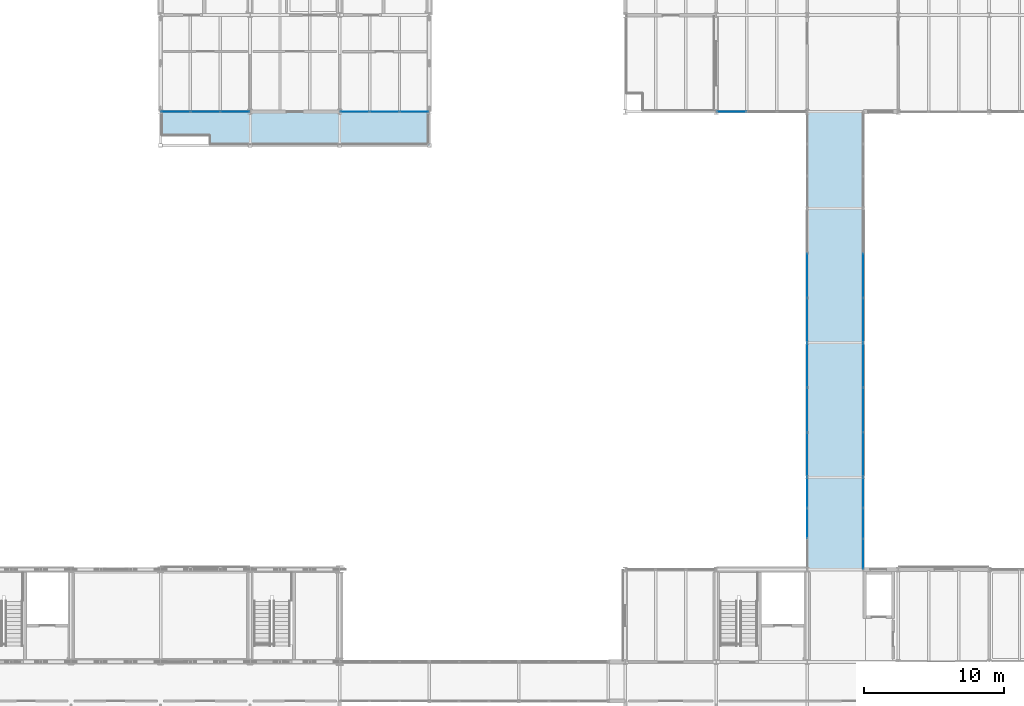
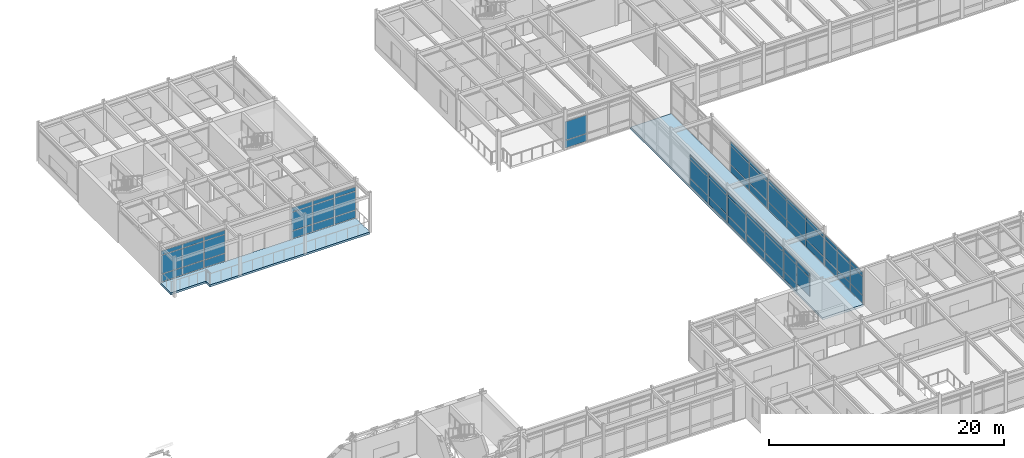
# One storey, part 97 of 144: 64 plates, 2 slabs, 9 elements without a shape of their own.
"""IFC4 building model written with IfcOpenShell, lengths in metres."""

import ifcopenshell
import ifcopenshell.guid

model = None  # the IFC model being written
_history = None  # IfcOwnerHistory: only IFC2X3 demands one
_inside = {}  # id of a spatial element -> (the spatial element, [elements in it])
_under = {}  # id of a project, library or spatial element -> (it, [spatial elements below it])
_declared = {}  # id of a project -> (the project, [libraries it declares])
_typed = {}  # id of a type object -> (the type object, [elements of that type])
_made_of = {}  # id of a material, layer set ... -> (it, [elements and type objects made of it])


def new_model(schema):
    """Start an empty IFC model of exactly this schema.

    Asked for "IFC4X3", IfcOpenShell would pick the latest addendum, in which some entities
    have other attributes; the version numbers below select the first issue.
    IFC2X3 requires an IfcOwnerHistory on every rooted entity: one is made here for all.
    """
    global model, _history
    if schema == "IFC4X3":
        model = ifcopenshell.file(schema_version=(4, 3, 0, 0))
    else:
        model = ifcopenshell.file(schema=schema)
    _inside.clear()
    _under.clear()
    _declared.clear()
    _typed.clear()
    _made_of.clear()
    _history = None
    if model.schema == "IFC2X3":
        org = make("IfcOrganization", Name="unknown")
        user = make(
            "IfcPersonAndOrganization",
            ThePerson=make("IfcPerson", FamilyName="unknown"),
            TheOrganization=org,
        )
        app = make(
            "IfcApplication",
            ApplicationDeveloper=org,
            Version="unknown",
            ApplicationFullName="unknown",
            ApplicationIdentifier="unknown",
        )
        _history = make(
            "IfcOwnerHistory",
            OwningUser=user,
            OwningApplication=app,
            ChangeAction="ADDED",
            CreationDate=0,
        )
    return model


def make(cls, **values):
    """One entity of the class cls with the attributes given. An attribute that is None is left unset."""
    return model.create_entity(
        cls, **{name: value for name, value in values.items() if value is not None}
    )


def rooted(cls, **values):
    """An entity with a GlobalId (a new one), such as an element, a storey or a relation."""
    return make(cls, GlobalId=ifcopenshell.guid.new(), OwnerHistory=_history, **values)


def si_unit(unit_type, name, prefix=None):
    """IfcSIUnit, for example si_unit("LENGTHUNIT", "METRE", prefix="MILLI")."""
    return make("IfcSIUnit", UnitType=unit_type, Prefix=prefix, Name=name)


def assignment(units):
    """IfcUnitAssignment: the units of a project."""
    return None if units is None else make("IfcUnitAssignment", Units=units)


def point(xyz):
    """IfcCartesianPoint."""
    return None if xyz is None else make("IfcCartesianPoint", Coordinates=xyz)


def direction(xyz):
    """IfcDirection."""
    return None if xyz is None else make("IfcDirection", DirectionRatios=xyz)


def frame(location, z_axis=None, x_axis=None):
    """IfcAxis2Placement3D, a coordinate frame: its origin and axes. An axis left out is left unset."""
    return make(
        "IfcAxis2Placement3D",
        Location=point(location),
        Axis=direction(z_axis),
        RefDirection=direction(x_axis),
    )


def frame_2d(location, x_axis=None):
    """IfcAxis2Placement2D, a coordinate frame in the plane: its origin and x axis."""
    return make(
        "IfcAxis2Placement2D", Location=point(location), RefDirection=direction(x_axis)
    )


def origin():
    """The frame at (0, 0, 0) with its axes left unset."""
    return frame((0.0, 0.0, 0.0))


def origin_2d():
    """The frame at (0, 0) in the plane with its x axis left unset."""
    return frame_2d((0.0, 0.0))


def place(relative_to, where):
    """IfcLocalPlacement: puts the frame where relative to a parent placement (None: the world)."""
    return make(
        "IfcLocalPlacement", PlacementRelTo=relative_to, RelativePlacement=where
    )


def context(
    kind, dimensions, precision=None, world=None, true_north=None, identifier=None
):
    """IfcGeometricRepresentationContext, for example the 3D "Model" context."""
    return make(
        "IfcGeometricRepresentationContext",
        ContextIdentifier=identifier,
        ContextType=kind,
        CoordinateSpaceDimension=dimensions,
        Precision=precision,
        WorldCoordinateSystem=world,
        TrueNorth=true_north,
    )


def subcontext(parent, identifier, kind, view, scale=None):
    """IfcGeometricRepresentationSubContext, for example "Body" below "Model"."""
    return make(
        "IfcGeometricRepresentationSubContext",
        ContextIdentifier=identifier,
        ContextType=kind,
        ParentContext=parent,
        TargetScale=scale,
        TargetView=view,
    )


def project(units=None, contexts=None):
    """IfcProject with its units and contexts."""
    return rooted(
        "IfcProject",
        Name="project",
        RepresentationContexts=contexts,
        UnitsInContext=assignment(units),
    )


def spatial(cls, under=None, at=None, **own):
    """A site, building, storey or space (cls), placed at a placement, below another one or the project."""
    s = rooted(cls, ObjectPlacement=at, **own)
    if under is not None:
        _under.setdefault(under.id(), (under, []))[1].append(s)
    return s


def polyline(points):
    """IfcPolyline through the points."""
    return make("IfcPolyline", Points=[point(p) for p in points])


def profile(cls, at=None, kind="AREA", **sizes):
    """A parametric profile (cls). Its sizes go by their IFC names, for example OverallWidth=200.0."""
    return make(cls, ProfileType=kind, Position=at, **sizes)


def rectangle(**sizes):
    """IfcRectangleProfileDef."""
    return profile("IfcRectangleProfileDef", **sizes)


def outline(outer, holes=None, kind="AREA"):
    """IfcArbitraryClosedProfileDef: a profile drawn as a closed curve; with holes, ...WithVoids."""
    if holes is None:
        return make("IfcArbitraryClosedProfileDef", ProfileType=kind, OuterCurve=outer)
    return make(
        "IfcArbitraryProfileDefWithVoids",
        ProfileType=kind,
        OuterCurve=outer,
        InnerCurves=holes,
    )


def extrude(swept, where, along, depth):
    """IfcExtrudedAreaSolid: the profile swept, set in the frame where, extruded along a direction by depth."""
    return make(
        "IfcExtrudedAreaSolid",
        SweptArea=swept,
        Position=where,
        ExtrudedDirection=direction(along),
        Depth=depth,
    )


def shape(context_of_items, identifier, shape_type, items):
    """IfcShapeRepresentation: the items that make up one representation, for example the "Body"."""
    return make(
        "IfcShapeRepresentation",
        ContextOfItems=context_of_items,
        RepresentationIdentifier=identifier,
        RepresentationType=shape_type,
        Items=items,
    )


def material(Name=None, Category=None):
    """IfcMaterial."""
    return make("IfcMaterial", Name=Name, Category=Category)


def layer(
    of_material, thickness, ventilated=None, Name=None, Category=None, Priority=None
):
    """IfcMaterialLayer: one layer of a wall or slab, of a material (None: an air gap)."""
    return make(
        "IfcMaterialLayer",
        Material=of_material,
        LayerThickness=thickness,
        IsVentilated=ventilated,
        Name=Name,
        Category=Category,
        Priority=Priority,
    )


def layer_set(layers, Name=None):
    """IfcMaterialLayerSet."""
    return make("IfcMaterialLayerSet", MaterialLayers=layers, LayerSetName=Name)


def made_of(thing, what):
    """Note that an element or type object is made of a material, layer set ...; save() writes the relation."""
    if what is not None:
        _made_of.setdefault(what.id(), (what, []))[1].append(thing)
    return thing


def type_object(cls, material=None, **own):
    """A type object (cls), such as IfcWallType, which elements share."""
    return made_of(rooted(cls, **own), material)


def element(
    cls,
    number,
    at=None,
    inside=None,
    cuts=None,
    type_object=None,
    material=None,
    context=None,
    identifier="Body",
    shape_type=None,
    held_by="IfcProductDefinitionShape",
    body=None,
    shapes=None,
    **own,
):
    """One element of the class cls, such as IfcWall. Its Tag is "e" and its number.

    at: its placement. inside: the storey or other place that contains it. cuts: it is an
    opening in that element (IfcRelVoidsElement). A single representation is given by context,
    identifier, shape_type and body (its items); several are given by shapes. held_by: the class
    of the entity that holds the representations. save() writes the other relations.
    """
    e = rooted(cls, Tag="e%d" % number, ObjectPlacement=at, **own)
    if body is not None:
        shapes = [shape(context, identifier, shape_type, body)]
    if shapes is not None:
        e.Representation = make(held_by, Representations=shapes)
    if inside is not None:
        _inside.setdefault(inside.id(), (inside, []))[1].append(e)
    if cuts is not None:
        rooted(
            "IfcRelVoidsElement", RelatingBuildingElement=cuts, RelatedOpeningElement=e
        )
    if type_object is not None:
        _typed.setdefault(type_object.id(), (type_object, []))[1].append(e)
    return made_of(e, material)


def aggregate(whole, parts):
    """IfcRelAggregates: a whole, such as a stair, and the parts it consists of."""
    return rooted("IfcRelAggregates", RelatingObject=whole, RelatedObjects=parts)


def save(model, path):
    """Write the relations noted so far, then the file.

    IfcRelAggregates (storeys below a building ...), IfcRelContainedInSpatialStructure (elements
    in a storey), IfcRelDefinesByType, IfcRelAssociatesMaterial and IfcRelDeclares: one each for
    every whole, place, type object, material and project.
    """
    for whole, parts in _under.values():
        aggregate(whole, parts)
    for where, things in _inside.values():
        rooted(
            "IfcRelContainedInSpatialStructure",
            RelatedElements=things,
            RelatingStructure=where,
        )
    for kind, things in _typed.values():
        rooted("IfcRelDefinesByType", RelatedObjects=things, RelatingType=kind)
    for what, things in _made_of.values():
        rooted("IfcRelAssociatesMaterial", RelatedObjects=things, RelatingMaterial=what)
    for by, libraries in _declared.values():
        rooted("IfcRelDeclares", RelatingContext=by, RelatedDefinitions=libraries)
    model.write(path)


model = new_model("IFC4")

# Units and contexts
model_context = context("Model", 3, precision=1e-05, world=origin(), true_north=direction((0.0, 1.0)))
body_context = subcontext(model_context, "Body", "Model", "MODEL_VIEW")
ifc_project = project(units=[si_unit("LENGTHUNIT", "METRE"), si_unit("AREAUNIT", "SQUARE_METRE"), si_unit("VOLUMEUNIT", "CUBIC_METRE"), si_unit("PLANEANGLEUNIT", "RADIAN"), si_unit("MASSUNIT", "GRAM", prefix="KILO")], contexts=[model_context])

# Site, building, storey
site_placement = place(None, origin())
site = spatial("IfcSite", under=ifc_project, at=site_placement, CompositionType="ELEMENT")
building_placement = place(site_placement, origin())
building = spatial("IfcBuilding", under=site, at=building_placement, Name="Trelmorton Wharf Fire Station", CompositionType="ELEMENT")
storey_placement = place(building_placement, frame((0.0, 0.0, 5.39990234375)))
storey = spatial("IfcBuildingStorey", under=building, at=storey_placement, Name="L01", CompositionType="ELEMENT", Elevation=5.39990234375)

# Curtain wall, plates
ifc_material_1 = material(Name="Anodised aluminium AW-6063", Category="aluminium")
ifc_layer_1 = layer(ifc_material_1, 0.159912109375)
ifc_layer_set_1 = layer_set([ifc_layer_1], Name="Anodised aluminium AW-6063")
curtain_wall_type_1 = type_object("IfcCurtainWallType", Name="CW_CHIC_A", PredefinedType="USERDEFINED", material=ifc_layer_set_1)
curtain_wall_1_placement = place(storey_placement, origin())
curtain_wall_1 = element("IfcCurtainWall", 1, at=curtain_wall_1_placement, inside=storey, type_object=curtain_wall_type_1, Name="CW-V2-L01-100", ObjectType="CHICAGO BAY CURTAIN WALL", PredefinedType="USERDEFINED")
ifc_material_2 = material(Name="Tempered low-E double glazing", Category="glass")
ifc_layer_2 = layer(ifc_material_2, 0.028076171875)
ifc_layer_set_2 = layer_set([ifc_layer_2], Name="Tempered low-E double glazing")
plate_type_1 = type_object("IfcPlateType", Name="CWP_GLAZ_28", PredefinedType="CURTAIN_PANEL", material=ifc_layer_set_2)
plate_1_placement = place(storey_placement, frame((88.9150390625, 60.300048828125, 0.06005859375), z_axis=(0.0, 0.0, 1.0), x_axis=(-1.0, 0.0, 0.0)))
plate_1 = element("IfcPlate", 2, at=plate_1_placement, type_object=plate_type_1, Name="CW1 panel 1.1", PredefinedType="CURTAIN_PANEL", context=body_context, shape_type="SweptSolid", body=[
    extrude(rectangle(XDim=2.0400390625, YDim=0.028076171875, at=origin_2d()), origin(), (0.0, 0.0, 1.0), 0.760009765625),
])
plate_2_placement = place(storey_placement, frame((88.9150390625, 60.300048828125, 0.88037109375), z_axis=(0.0, 0.0, 1.0), x_axis=(-1.0, 0.0, 0.0)))
plate_2 = element("IfcPlate", 3, at=plate_2_placement, type_object=plate_type_1, Name="CW1 panel 1.2", PredefinedType="CURTAIN_PANEL", context=body_context, shape_type="SweptSolid", body=[
    extrude(rectangle(XDim=2.0400390625, YDim=0.028076171875, at=origin_2d()), origin(), (0.0, 0.0, 1.0), 1.909912109375),
])
plate_3_placement = place(storey_placement, frame((88.9150390625, 60.300048828125, 2.85009765625), z_axis=(0.0, 0.0, 1.0), x_axis=(-1.0, 0.0, 0.0)))
plate_3 = element("IfcPlate", 4, at=plate_3_placement, type_object=plate_type_1, Name="CW1 panel 1.3", PredefinedType="CURTAIN_PANEL", context=body_context, shape_type="SweptSolid", body=[
    extrude(rectangle(XDim=2.0400390625, YDim=0.028076171875, at=origin_2d()), origin(), (0.0, 0.0, 1.0), 0.409912109375),
])
plate_4_placement = place(storey_placement, frame((86.800048828125, 60.300048828125, 0.06005859375), z_axis=(0.0, 0.0, 1.0), x_axis=(-1.0, 0.0, 0.0)))
plate_4 = element("IfcPlate", 5, at=plate_4_placement, type_object=plate_type_1, Name="CW1 panel 2.1", PredefinedType="CURTAIN_PANEL", context=body_context, shape_type="SweptSolid", body=[
    extrude(rectangle(XDim=2.070068359375, YDim=0.028076171875, at=origin_2d()), origin(), (0.0, 0.0, 1.0), 0.760009765625),
])
plate_5_placement = place(storey_placement, frame((86.800048828125, 60.300048828125, 0.88037109375), z_axis=(0.0, 0.0, 1.0), x_axis=(-1.0, 0.0, 0.0)))
plate_5 = element("IfcPlate", 6, at=plate_5_placement, type_object=plate_type_1, Name="CW1 panel 2.2", PredefinedType="CURTAIN_PANEL", context=body_context, shape_type="SweptSolid", body=[
    extrude(rectangle(XDim=2.070068359375, YDim=0.028076171875, at=origin_2d()), origin(), (0.0, 0.0, 1.0), 1.909912109375),
])
plate_6_placement = place(storey_placement, frame((86.800048828125, 60.300048828125, 2.85009765625), z_axis=(0.0, 0.0, 1.0), x_axis=(-1.0, 0.0, 0.0)))
plate_6 = element("IfcPlate", 7, at=plate_6_placement, type_object=plate_type_1, Name="CW1 panel 2.3", PredefinedType="CURTAIN_PANEL", context=body_context, shape_type="SweptSolid", body=[
    extrude(rectangle(XDim=2.070068359375, YDim=0.028076171875, at=origin_2d()), origin(), (0.0, 0.0, 1.0), 0.409912109375),
])
plate_7_placement = place(storey_placement, frame((84.68505859375, 60.300048828125, 0.06005859375), z_axis=(0.0, 0.0, 1.0), x_axis=(-1.0, 0.0, 0.0)))
plate_7 = element("IfcPlate", 8, at=plate_7_placement, type_object=plate_type_1, Name="CW1 panel 3.1", PredefinedType="CURTAIN_PANEL", context=body_context, shape_type="SweptSolid", body=[
    extrude(rectangle(XDim=2.0400390625, YDim=0.028076171875, at=origin_2d()), origin(), (0.0, 0.0, 1.0), 0.760009765625),
])
plate_8_placement = place(storey_placement, frame((84.68505859375, 60.300048828125, 0.88037109375), z_axis=(0.0, 0.0, 1.0), x_axis=(-1.0, 0.0, 0.0)))
plate_8 = element("IfcPlate", 9, at=plate_8_placement, type_object=plate_type_1, Name="CW1 panel 3.2", PredefinedType="CURTAIN_PANEL", context=body_context, shape_type="SweptSolid", body=[
    extrude(rectangle(XDim=2.0400390625, YDim=0.028076171875, at=origin_2d()), origin(), (0.0, 0.0, 1.0), 1.909912109375),
])
plate_9_placement = place(storey_placement, frame((84.68505859375, 60.300048828125, 2.85009765625), z_axis=(0.0, 0.0, 1.0), x_axis=(-1.0, 0.0, 0.0)))
plate_9 = element("IfcPlate", 10, at=plate_9_placement, type_object=plate_type_1, Name="CW1 panel 3.3", PredefinedType="CURTAIN_PANEL", context=body_context, shape_type="SweptSolid", body=[
    extrude(rectangle(XDim=2.0400390625, YDim=0.028076171875, at=origin_2d()), origin(), (0.0, 0.0, 1.0), 0.409912109375),
])
aggregate(curtain_wall_1, [plate_1, plate_2, plate_3, plate_4, plate_5, plate_6, plate_7, plate_8, plate_9])

ifc_layer_3 = layer(ifc_material_1, 0.139892578125)
ifc_layer_set_3 = layer_set([ifc_layer_3], Name="Anodised aluminium AW-6063")
curtain_wall_type_2 = type_object("IfcCurtainWallType", Name="CW_BRDG_A", PredefinedType="USERDEFINED", material=ifc_layer_set_3)
curtain_wall_2_placement = place(storey_placement, origin())
curtain_wall_2 = element("IfcCurtainWall", 11, at=curtain_wall_2_placement, inside=storey, type_object=curtain_wall_type_2, Name="CW-BR-L01-160", ObjectType="UNITISED CURTAIN WALL", PredefinedType="USERDEFINED")
plate_10_placement = place(storey_placement, frame((117.0, 30.89990234375, 0.88037109375), z_axis=(0.0, 0.0, 1.0), x_axis=(0.0, 1.0, 0.0)))
plate_10 = element("IfcPlate", 12, at=plate_10_placement, type_object=plate_type_1, Name="CW4 panel 2.2", PredefinedType="CURTAIN_PANEL", context=body_context, shape_type="SweptSolid", body=[
    extrude(rectangle(XDim=2.13671875, YDim=0.028076171875, at=origin_2d()), origin(), (0.0, 0.0, 1.0), 1.909912109375),
])
plate_11_placement = place(storey_placement, frame((117.0, 30.89990234375, 2.85009765625), z_axis=(0.0, 0.0, 1.0), x_axis=(0.0, 1.0, 0.0)))
plate_11 = element("IfcPlate", 13, at=plate_11_placement, type_object=plate_type_1, Name="CW4 panel 2.3", PredefinedType="CURTAIN_PANEL", context=body_context, shape_type="SweptSolid", body=[
    extrude(rectangle(XDim=2.13671875, YDim=0.028076171875, at=origin_2d()), origin(), (0.0, 0.0, 1.0), 0.409912109375),
])
plate_12_placement = place(storey_placement, frame((117.0, 33.081787109375, 0.06005859375), z_axis=(0.0, 0.0, 1.0), x_axis=(0.0, 1.0, 0.0)))
plate_12 = element("IfcPlate", 14, at=plate_12_placement, type_object=plate_type_1, Name="CW4 panel 3.1", PredefinedType="CURTAIN_PANEL", context=body_context, shape_type="SweptSolid", body=[
    extrude(rectangle(XDim=2.106689453125, YDim=0.028076171875, at=origin_2d()), origin(), (0.0, 0.0, 1.0), 0.760009765625),
])
plate_13_placement = place(storey_placement, frame((117.0, 33.081787109375, 0.88037109375), z_axis=(0.0, 0.0, 1.0), x_axis=(0.0, 1.0, 0.0)))
plate_13 = element("IfcPlate", 15, at=plate_13_placement, type_object=plate_type_1, Name="CW4 panel 3.2", PredefinedType="CURTAIN_PANEL", context=body_context, shape_type="SweptSolid", body=[
    extrude(rectangle(XDim=2.106689453125, YDim=0.028076171875, at=origin_2d()), origin(), (0.0, 0.0, 1.0), 1.909912109375),
])
plate_14_placement = place(storey_placement, frame((117.0, 33.081787109375, 2.85009765625), z_axis=(0.0, 0.0, 1.0), x_axis=(0.0, 1.0, 0.0)))
plate_14 = element("IfcPlate", 16, at=plate_14_placement, type_object=plate_type_1, Name="CW4 panel 3.3", PredefinedType="CURTAIN_PANEL", context=body_context, shape_type="SweptSolid", body=[
    extrude(rectangle(XDim=2.106689453125, YDim=0.028076171875, at=origin_2d()), origin(), (0.0, 0.0, 1.0), 0.409912109375),
])
aggregate(curtain_wall_2, [plate_10, plate_11, plate_12, plate_13, plate_14])

curtain_wall_3_placement = place(storey_placement, origin())
curtain_wall_3 = element("IfcCurtainWall", 17, at=curtain_wall_3_placement, inside=storey, type_object=curtain_wall_type_2, Name="CW-BR-L01-161", ObjectType="UNITISED CURTAIN WALL", PredefinedType="USERDEFINED")
plate_15_placement = place(storey_placement, frame((121.0, 33.081787109375, 0.06005859375), z_axis=(0.0, 0.0, 1.0), x_axis=(0.0, -1.0, 0.0)))
plate_15 = element("IfcPlate", 18, at=plate_15_placement, type_object=plate_type_1, Name="CW4 panel 1.1", PredefinedType="CURTAIN_PANEL", context=body_context, shape_type="SweptSolid", body=[
    extrude(rectangle(XDim=2.106689453125, YDim=0.028076171875, at=origin_2d()), origin(), (0.0, 0.0, 1.0), 0.760009765625),
])
plate_16_placement = place(storey_placement, frame((121.0, 33.081787109375, 0.88037109375), z_axis=(0.0, 0.0, 1.0), x_axis=(0.0, -1.0, 0.0)))
plate_16 = element("IfcPlate", 19, at=plate_16_placement, type_object=plate_type_1, Name="CW4 panel 1.2", PredefinedType="CURTAIN_PANEL", context=body_context, shape_type="SweptSolid", body=[
    extrude(rectangle(XDim=2.106689453125, YDim=0.028076171875, at=origin_2d()), origin(), (0.0, 0.0, 1.0), 1.909912109375),
])
plate_17_placement = place(storey_placement, frame((121.0, 33.081787109375, 2.85009765625), z_axis=(0.0, 0.0, 1.0), x_axis=(0.0, -1.0, 0.0)))
plate_17 = element("IfcPlate", 20, at=plate_17_placement, type_object=plate_type_1, Name="CW4 panel 1.3", PredefinedType="CURTAIN_PANEL", context=body_context, shape_type="SweptSolid", body=[
    extrude(rectangle(XDim=2.106689453125, YDim=0.028076171875, at=origin_2d()), origin(), (0.0, 0.0, 1.0), 0.409912109375),
])
plate_18_placement = place(storey_placement, frame((121.0, 30.89990234375, 0.06005859375), z_axis=(0.0, 0.0, 1.0), x_axis=(0.0, -1.0, 0.0)))
plate_18 = element("IfcPlate", 21, at=plate_18_placement, type_object=plate_type_1, Name="CW4 panel 2.1", PredefinedType="CURTAIN_PANEL", context=body_context, shape_type="SweptSolid", body=[
    extrude(rectangle(XDim=2.13671875, YDim=0.028076171875, at=origin_2d()), origin(), (0.0, 0.0, 1.0), 0.760009765625),
])
plate_19_placement = place(storey_placement, frame((121.0, 30.89990234375, 0.88037109375), z_axis=(0.0, 0.0, 1.0), x_axis=(0.0, -1.0, 0.0)))
plate_19 = element("IfcPlate", 22, at=plate_19_placement, type_object=plate_type_1, Name="CW4 panel 2.2", PredefinedType="CURTAIN_PANEL", context=body_context, shape_type="SweptSolid", body=[
    extrude(rectangle(XDim=2.13671875, YDim=0.028076171875, at=origin_2d()), origin(), (0.0, 0.0, 1.0), 1.909912109375),
])
plate_20_placement = place(storey_placement, frame((121.0, 30.89990234375, 2.85009765625), z_axis=(0.0, 0.0, 1.0), x_axis=(0.0, -1.0, 0.0)))
plate_20 = element("IfcPlate", 23, at=plate_20_placement, type_object=plate_type_1, Name="CW4 panel 2.3", PredefinedType="CURTAIN_PANEL", context=body_context, shape_type="SweptSolid", body=[
    extrude(rectangle(XDim=2.13671875, YDim=0.028076171875, at=origin_2d()), origin(), (0.0, 0.0, 1.0), 0.409912109375),
])
plate_21_placement = place(storey_placement, frame((121.0, 28.71826171875, 0.06005859375), z_axis=(0.0, 0.0, 1.0), x_axis=(0.0, -1.0, 0.0)))
plate_21 = element("IfcPlate", 24, at=plate_21_placement, type_object=plate_type_1, Name="CW4 panel 3.1", PredefinedType="CURTAIN_PANEL", context=body_context, shape_type="SweptSolid", body=[
    extrude(rectangle(XDim=2.106689453125, YDim=0.028076171875, at=origin_2d()), origin(), (0.0, 0.0, 1.0), 0.760009765625),
])
plate_22_placement = place(storey_placement, frame((121.0, 28.71826171875, 0.88037109375), z_axis=(0.0, 0.0, 1.0), x_axis=(0.0, -1.0, 0.0)))
plate_22 = element("IfcPlate", 25, at=plate_22_placement, type_object=plate_type_1, Name="CW4 panel 3.2", PredefinedType="CURTAIN_PANEL", context=body_context, shape_type="SweptSolid", body=[
    extrude(rectangle(XDim=2.106689453125, YDim=0.028076171875, at=origin_2d()), origin(), (0.0, 0.0, 1.0), 1.909912109375),
])
plate_23_placement = place(storey_placement, frame((121.0, 28.71826171875, 2.85009765625), z_axis=(0.0, 0.0, 1.0), x_axis=(0.0, -1.0, 0.0)))
plate_23 = element("IfcPlate", 26, at=plate_23_placement, type_object=plate_type_1, Name="CW4 panel 3.3", PredefinedType="CURTAIN_PANEL", context=body_context, shape_type="SweptSolid", body=[
    extrude(rectangle(XDim=2.106689453125, YDim=0.028076171875, at=origin_2d()), origin(), (0.0, 0.0, 1.0), 0.409912109375),
])
aggregate(curtain_wall_3, [plate_15, plate_16, plate_17, plate_18, plate_19, plate_20, plate_21, plate_22, plate_23])

curtain_wall_4_placement = place(storey_placement, origin())
curtain_wall_4 = element("IfcCurtainWall", 27, at=curtain_wall_4_placement, inside=storey, type_object=curtain_wall_type_2, Name="CW-BR-L01-163", ObjectType="UNITISED CURTAIN WALL", PredefinedType="USERDEFINED")
plate_24_placement = place(storey_placement, frame((121.0, 42.181640625, 0.06005859375), z_axis=(0.0, 0.0, 1.0), x_axis=(0.0, -1.0, 0.0)))
plate_24 = element("IfcPlate", 28, at=plate_24_placement, type_object=plate_type_1, Name="CW4 panel 1.1", PredefinedType="CURTAIN_PANEL", context=body_context, shape_type="SweptSolid", body=[
    extrude(rectangle(XDim=3.106689453125, YDim=0.028076171875, at=origin_2d()), origin(), (0.0, 0.0, 1.0), 0.760009765625),
])
plate_25_placement = place(storey_placement, frame((121.0, 42.181640625, 0.88037109375), z_axis=(0.0, 0.0, 1.0), x_axis=(0.0, -1.0, 0.0)))
plate_25 = element("IfcPlate", 29, at=plate_25_placement, type_object=plate_type_1, Name="CW4 panel 1.2", PredefinedType="CURTAIN_PANEL", context=body_context, shape_type="SweptSolid", body=[
    extrude(rectangle(XDim=3.106689453125, YDim=0.028076171875, at=origin_2d()), origin(), (0.0, 0.0, 1.0), 1.909912109375),
])
plate_26_placement = place(storey_placement, frame((121.0, 42.181640625, 2.85009765625), z_axis=(0.0, 0.0, 1.0), x_axis=(0.0, -1.0, 0.0)))
plate_26 = element("IfcPlate", 30, at=plate_26_placement, type_object=plate_type_1, Name="CW4 panel 1.3", PredefinedType="CURTAIN_PANEL", context=body_context, shape_type="SweptSolid", body=[
    extrude(rectangle(XDim=3.106689453125, YDim=0.028076171875, at=origin_2d()), origin(), (0.0, 0.0, 1.0), 0.409912109375),
])
plate_27_placement = place(storey_placement, frame((121.0, 39.0, 0.06005859375), z_axis=(0.0, 0.0, 1.0), x_axis=(0.0, -1.0, 0.0)))
plate_27 = element("IfcPlate", 31, at=plate_27_placement, type_object=plate_type_1, Name="CW4 panel 2.1", PredefinedType="CURTAIN_PANEL", context=body_context, shape_type="SweptSolid", body=[
    extrude(rectangle(XDim=3.13671875, YDim=0.028076171875, at=origin_2d()), origin(), (0.0, 0.0, 1.0), 0.760009765625),
])
plate_28_placement = place(storey_placement, frame((121.0, 39.0, 0.88037109375), z_axis=(0.0, 0.0, 1.0), x_axis=(0.0, -1.0, 0.0)))
plate_28 = element("IfcPlate", 32, at=plate_28_placement, type_object=plate_type_1, Name="CW4 panel 2.2", PredefinedType="CURTAIN_PANEL", context=body_context, shape_type="SweptSolid", body=[
    extrude(rectangle(XDim=3.13671875, YDim=0.028076171875, at=origin_2d()), origin(), (0.0, 0.0, 1.0), 1.909912109375),
])
plate_29_placement = place(storey_placement, frame((121.0, 39.0, 2.85009765625), z_axis=(0.0, 0.0, 1.0), x_axis=(0.0, -1.0, 0.0)))
plate_29 = element("IfcPlate", 33, at=plate_29_placement, type_object=plate_type_1, Name="CW4 panel 2.3", PredefinedType="CURTAIN_PANEL", context=body_context, shape_type="SweptSolid", body=[
    extrude(rectangle(XDim=3.13671875, YDim=0.028076171875, at=origin_2d()), origin(), (0.0, 0.0, 1.0), 0.409912109375),
])
plate_30_placement = place(storey_placement, frame((121.0, 35.818359375, 0.06005859375), z_axis=(0.0, 0.0, 1.0), x_axis=(0.0, -1.0, 0.0)))
plate_30 = element("IfcPlate", 34, at=plate_30_placement, type_object=plate_type_1, Name="CW4 panel 3.1", PredefinedType="CURTAIN_PANEL", context=body_context, shape_type="SweptSolid", body=[
    extrude(rectangle(XDim=3.106689453125, YDim=0.028076171875, at=origin_2d()), origin(), (0.0, 0.0, 1.0), 0.760009765625),
])
plate_31_placement = place(storey_placement, frame((121.0, 35.818359375, 0.88037109375), z_axis=(0.0, 0.0, 1.0), x_axis=(0.0, -1.0, 0.0)))
plate_31 = element("IfcPlate", 35, at=plate_31_placement, type_object=plate_type_1, Name="CW4 panel 3.2", PredefinedType="CURTAIN_PANEL", context=body_context, shape_type="SweptSolid", body=[
    extrude(rectangle(XDim=3.106689453125, YDim=0.028076171875, at=origin_2d()), origin(), (0.0, 0.0, 1.0), 1.909912109375),
])
plate_32_placement = place(storey_placement, frame((121.0, 35.818359375, 2.85009765625), z_axis=(0.0, 0.0, 1.0), x_axis=(0.0, -1.0, 0.0)))
plate_32 = element("IfcPlate", 36, at=plate_32_placement, type_object=plate_type_1, Name="CW4 panel 3.3", PredefinedType="CURTAIN_PANEL", context=body_context, shape_type="SweptSolid", body=[
    extrude(rectangle(XDim=3.106689453125, YDim=0.028076171875, at=origin_2d()), origin(), (0.0, 0.0, 1.0), 0.409912109375),
])
aggregate(curtain_wall_4, [plate_24, plate_25, plate_26, plate_27, plate_28, plate_29, plate_30, plate_31, plate_32])

curtain_wall_5_placement = place(storey_placement, origin())
curtain_wall_5 = element("IfcCurtainWall", 37, at=curtain_wall_5_placement, inside=storey, type_object=curtain_wall_type_2, Name="CW-BR-L01-164", ObjectType="UNITISED CURTAIN WALL", PredefinedType="USERDEFINED")
plate_33_placement = place(storey_placement, frame((117.0, 45.418212890625, 0.06005859375), z_axis=(0.0, 0.0, 1.0), x_axis=(0.0, 1.0, 0.0)))
plate_33 = element("IfcPlate", 38, at=plate_33_placement, type_object=plate_type_1, Name="CW4 panel 1.1", PredefinedType="CURTAIN_PANEL", context=body_context, shape_type="SweptSolid", body=[
    extrude(rectangle(XDim=3.106689453125, YDim=0.028076171875, at=origin_2d()), origin(), (0.0, 0.0, 1.0), 0.760009765625),
])
plate_34_placement = place(storey_placement, frame((117.0, 45.418212890625, 0.88037109375), z_axis=(0.0, 0.0, 1.0), x_axis=(0.0, 1.0, 0.0)))
plate_34 = element("IfcPlate", 39, at=plate_34_placement, type_object=plate_type_1, Name="CW4 panel 1.2", PredefinedType="CURTAIN_PANEL", context=body_context, shape_type="SweptSolid", body=[
    extrude(rectangle(XDim=3.106689453125, YDim=0.028076171875, at=origin_2d()), origin(), (0.0, 0.0, 1.0), 1.909912109375),
])
plate_35_placement = place(storey_placement, frame((117.0, 45.418212890625, 2.85009765625), z_axis=(0.0, 0.0, 1.0), x_axis=(0.0, 1.0, 0.0)))
plate_35 = element("IfcPlate", 40, at=plate_35_placement, type_object=plate_type_1, Name="CW4 panel 1.3", PredefinedType="CURTAIN_PANEL", context=body_context, shape_type="SweptSolid", body=[
    extrude(rectangle(XDim=3.106689453125, YDim=0.028076171875, at=origin_2d()), origin(), (0.0, 0.0, 1.0), 0.409912109375),
])
plate_36_placement = place(storey_placement, frame((117.0, 48.60009765625, 0.06005859375), z_axis=(0.0, 0.0, 1.0), x_axis=(0.0, 1.0, 0.0)))
plate_36 = element("IfcPlate", 41, at=plate_36_placement, type_object=plate_type_1, Name="CW4 panel 2.1", PredefinedType="CURTAIN_PANEL", context=body_context, shape_type="SweptSolid", body=[
    extrude(rectangle(XDim=3.13671875, YDim=0.028076171875, at=origin_2d()), origin(), (0.0, 0.0, 1.0), 0.760009765625),
])
plate_37_placement = place(storey_placement, frame((117.0, 48.60009765625, 0.88037109375), z_axis=(0.0, 0.0, 1.0), x_axis=(0.0, 1.0, 0.0)))
plate_37 = element("IfcPlate", 42, at=plate_37_placement, type_object=plate_type_1, Name="CW4 panel 2.2", PredefinedType="CURTAIN_PANEL", context=body_context, shape_type="SweptSolid", body=[
    extrude(rectangle(XDim=3.13671875, YDim=0.028076171875, at=origin_2d()), origin(), (0.0, 0.0, 1.0), 1.909912109375),
])
plate_38_placement = place(storey_placement, frame((117.0, 48.60009765625, 2.85009765625), z_axis=(0.0, 0.0, 1.0), x_axis=(0.0, 1.0, 0.0)))
plate_38 = element("IfcPlate", 43, at=plate_38_placement, type_object=plate_type_1, Name="CW4 panel 2.3", PredefinedType="CURTAIN_PANEL", context=body_context, shape_type="SweptSolid", body=[
    extrude(rectangle(XDim=3.13671875, YDim=0.028076171875, at=origin_2d()), origin(), (0.0, 0.0, 1.0), 0.409912109375),
])
aggregate(curtain_wall_5, [plate_33, plate_34, plate_35, plate_36, plate_37, plate_38])

curtain_wall_6_placement = place(storey_placement, origin())
curtain_wall_6 = element("IfcCurtainWall", 44, at=curtain_wall_6_placement, inside=storey, type_object=curtain_wall_type_1, Name="CW-V2-L01-099", ObjectType="CHICAGO BAY CURTAIN WALL", PredefinedType="USERDEFINED")
ifc_layer_4 = layer(ifc_material_2, 0.028076171875)
ifc_layer_set_4 = layer_set([ifc_layer_4], Name="Tempered low-E double glazing")
plate_type_2 = type_object("IfcPlateType", Name="CWP_GLAZ_38", PredefinedType="CURTAIN_PANEL", material=ifc_layer_set_4)
plate_39_placement = place(storey_placement, frame((76.114990234375, 60.300048828125, 0.06005859375), z_axis=(0.0, 0.0, 1.0), x_axis=(-1.0, 0.0, 0.0)))
plate_39 = element("IfcPlate", 45, at=plate_39_placement, type_object=plate_type_2, Name="CW1 panel 1.1", PredefinedType="CURTAIN_PANEL", context=body_context, shape_type="SweptSolid", body=[
    extrude(rectangle(XDim=2.0400390625, YDim=0.028076171875, at=origin_2d()), origin(), (0.0, 0.0, 1.0), 0.760009765625),
])
plate_40_placement = place(storey_placement, frame((76.114990234375, 60.300048828125, 0.88037109375), z_axis=(0.0, 0.0, 1.0), x_axis=(-1.0, 0.0, 0.0)))
plate_40 = element("IfcPlate", 46, at=plate_40_placement, type_object=plate_type_2, Name="CW1 panel 1.2", PredefinedType="CURTAIN_PANEL", context=body_context, shape_type="SweptSolid", body=[
    extrude(rectangle(XDim=2.0400390625, YDim=0.028076171875, at=origin_2d()), origin(), (0.0, 0.0, 1.0), 1.909912109375),
])
plate_41_placement = place(storey_placement, frame((76.114990234375, 60.300048828125, 2.85009765625), z_axis=(0.0, 0.0, 1.0), x_axis=(-1.0, 0.0, 0.0)))
plate_41 = element("IfcPlate", 47, at=plate_41_placement, type_object=plate_type_2, Name="CW1 panel 1.3", PredefinedType="CURTAIN_PANEL", context=body_context, shape_type="SweptSolid", body=[
    extrude(rectangle(XDim=2.0400390625, YDim=0.028076171875, at=origin_2d()), origin(), (0.0, 0.0, 1.0), 0.409912109375),
])
plate_42_placement = place(storey_placement, frame((74.0, 60.300048828125, 0.06005859375), z_axis=(0.0, 0.0, 1.0), x_axis=(-1.0, 0.0, 0.0)))
plate_42 = element("IfcPlate", 48, at=plate_42_placement, type_object=plate_type_2, Name="CW1 panel 2.1", PredefinedType="CURTAIN_PANEL", context=body_context, shape_type="SweptSolid", body=[
    extrude(rectangle(XDim=2.070068359375, YDim=0.028076171875, at=origin_2d()), origin(), (0.0, 0.0, 1.0), 0.760009765625),
])
plate_43_placement = place(storey_placement, frame((74.0, 60.300048828125, 0.88037109375), z_axis=(0.0, 0.0, 1.0), x_axis=(-1.0, 0.0, 0.0)))
plate_43 = element("IfcPlate", 49, at=plate_43_placement, type_object=plate_type_2, Name="CW1 panel 2.2", PredefinedType="CURTAIN_PANEL", context=body_context, shape_type="SweptSolid", body=[
    extrude(rectangle(XDim=2.070068359375, YDim=0.028076171875, at=origin_2d()), origin(), (0.0, 0.0, 1.0), 1.909912109375),
])
plate_44_placement = place(storey_placement, frame((74.0, 60.300048828125, 2.85009765625), z_axis=(0.0, 0.0, 1.0), x_axis=(-1.0, 0.0, 0.0)))
plate_44 = element("IfcPlate", 50, at=plate_44_placement, type_object=plate_type_2, Name="CW1 panel 2.3", PredefinedType="CURTAIN_PANEL", context=body_context, shape_type="SweptSolid", body=[
    extrude(rectangle(XDim=2.070068359375, YDim=0.028076171875, at=origin_2d()), origin(), (0.0, 0.0, 1.0), 0.409912109375),
])
plate_45_placement = place(storey_placement, frame((71.885009765625, 60.300048828125, 0.06005859375), z_axis=(0.0, 0.0, 1.0), x_axis=(-1.0, 0.0, 0.0)))
plate_45 = element("IfcPlate", 51, at=plate_45_placement, type_object=plate_type_2, Name="CW1 panel 3.1", PredefinedType="CURTAIN_PANEL", context=body_context, shape_type="SweptSolid", body=[
    extrude(rectangle(XDim=2.0400390625, YDim=0.028076171875, at=origin_2d()), origin(), (0.0, 0.0, 1.0), 0.760009765625),
])
plate_46_placement = place(storey_placement, frame((71.885009765625, 60.300048828125, 0.88037109375), z_axis=(0.0, 0.0, 1.0), x_axis=(-1.0, 0.0, 0.0)))
plate_46 = element("IfcPlate", 52, at=plate_46_placement, type_object=plate_type_2, Name="CW1 panel 3.2", PredefinedType="CURTAIN_PANEL", context=body_context, shape_type="SweptSolid", body=[
    extrude(rectangle(XDim=2.0400390625, YDim=0.028076171875, at=origin_2d()), origin(), (0.0, 0.0, 1.0), 1.909912109375),
])
plate_47_placement = place(storey_placement, frame((71.885009765625, 60.300048828125, 2.85009765625), z_axis=(0.0, 0.0, 1.0), x_axis=(-1.0, 0.0, 0.0)))
plate_47 = element("IfcPlate", 53, at=plate_47_placement, type_object=plate_type_2, Name="CW1 panel 3.3", PredefinedType="CURTAIN_PANEL", context=body_context, shape_type="SweptSolid", body=[
    extrude(rectangle(XDim=2.0400390625, YDim=0.028076171875, at=origin_2d()), origin(), (0.0, 0.0, 1.0), 0.409912109375),
])
aggregate(curtain_wall_6, [plate_39, plate_40, plate_41, plate_42, plate_43, plate_44, plate_45, plate_46, plate_47])

curtain_wall_7_placement = place(storey_placement, origin())
curtain_wall_7 = element("IfcCurtainWall", 54, at=curtain_wall_7_placement, inside=storey, type_object=curtain_wall_type_1, Name="CW-V4-L01-123", ObjectType="CHICAGO BAY CURTAIN WALL", PredefinedType="USERDEFINED")
plate_48_placement = place(storey_placement, frame((111.6015625, 60.300048828125, 0.06005859375), z_axis=(0.0, 0.0, 1.0), x_axis=(-1.0, 0.0, 0.0)))
plate_48 = element("IfcPlate", 55, at=plate_48_placement, type_object=plate_type_2, Name="CW1 panel 3.1", PredefinedType="CURTAIN_PANEL", context=body_context, shape_type="SweptSolid", body=[
    extrude(rectangle(XDim=2.0732421875, YDim=0.028076171875, at=origin_2d()), origin(), (0.0, 0.0, 1.0), 0.760009765625),
])
plate_49_placement = place(storey_placement, frame((111.6015625, 60.300048828125, 0.88037109375), z_axis=(0.0, 0.0, 1.0), x_axis=(-1.0, 0.0, 0.0)))
plate_49 = element("IfcPlate", 56, at=plate_49_placement, type_object=plate_type_2, Name="CW1 panel 3.2", PredefinedType="CURTAIN_PANEL", context=body_context, shape_type="SweptSolid", body=[
    extrude(rectangle(XDim=2.0732421875, YDim=0.028076171875, at=origin_2d()), origin(), (0.0, 0.0, 1.0), 1.909912109375),
])
aggregate(curtain_wall_7, [plate_48, plate_49])

curtain_wall_8_placement = place(storey_placement, origin())
curtain_wall_8 = element("IfcCurtainWall", 57, at=curtain_wall_8_placement, inside=storey, type_object=curtain_wall_type_2, Name="CW-BR-L01-165", ObjectType="UNITISED CURTAIN WALL", PredefinedType="USERDEFINED")
plate_50_placement = place(storey_placement, frame((121.0, 48.60009765625, 0.06005859375), z_axis=(0.0, 0.0, 1.0), x_axis=(0.0, -1.0, 0.0)))
plate_50 = element("IfcPlate", 58, at=plate_50_placement, type_object=plate_type_2, Name="CW4 panel 2.1", PredefinedType="CURTAIN_PANEL", context=body_context, shape_type="SweptSolid", body=[
    extrude(rectangle(XDim=3.13671875, YDim=0.028076171875, at=origin_2d()), origin(), (0.0, 0.0, 1.0), 0.760009765625),
])
plate_51_placement = place(storey_placement, frame((121.0, 48.60009765625, 0.88037109375), z_axis=(0.0, 0.0, 1.0), x_axis=(0.0, -1.0, 0.0)))
plate_51 = element("IfcPlate", 59, at=plate_51_placement, type_object=plate_type_2, Name="CW4 panel 2.2", PredefinedType="CURTAIN_PANEL", context=body_context, shape_type="SweptSolid", body=[
    extrude(rectangle(XDim=3.13671875, YDim=0.028076171875, at=origin_2d()), origin(), (0.0, 0.0, 1.0), 1.909912109375),
])
plate_52_placement = place(storey_placement, frame((121.0, 48.60009765625, 2.85009765625), z_axis=(0.0, 0.0, 1.0), x_axis=(0.0, -1.0, 0.0)))
plate_52 = element("IfcPlate", 60, at=plate_52_placement, type_object=plate_type_2, Name="CW4 panel 2.3", PredefinedType="CURTAIN_PANEL", context=body_context, shape_type="SweptSolid", body=[
    extrude(rectangle(XDim=3.13671875, YDim=0.028076171875, at=origin_2d()), origin(), (0.0, 0.0, 1.0), 0.409912109375),
])
plate_53_placement = place(storey_placement, frame((121.0, 45.418212890625, 0.06005859375), z_axis=(0.0, 0.0, 1.0), x_axis=(0.0, -1.0, 0.0)))
plate_53 = element("IfcPlate", 61, at=plate_53_placement, type_object=plate_type_2, Name="CW4 panel 3.1", PredefinedType="CURTAIN_PANEL", context=body_context, shape_type="SweptSolid", body=[
    extrude(rectangle(XDim=3.106689453125, YDim=0.028076171875, at=origin_2d()), origin(), (0.0, 0.0, 1.0), 0.760009765625),
])
plate_54_placement = place(storey_placement, frame((121.0, 45.418212890625, 0.88037109375), z_axis=(0.0, 0.0, 1.0), x_axis=(0.0, -1.0, 0.0)))
plate_54 = element("IfcPlate", 62, at=plate_54_placement, type_object=plate_type_2, Name="CW4 panel 3.2", PredefinedType="CURTAIN_PANEL", context=body_context, shape_type="SweptSolid", body=[
    extrude(rectangle(XDim=3.106689453125, YDim=0.028076171875, at=origin_2d()), origin(), (0.0, 0.0, 1.0), 1.909912109375),
])
plate_55_placement = place(storey_placement, frame((121.0, 45.418212890625, 2.85009765625), z_axis=(0.0, 0.0, 1.0), x_axis=(0.0, -1.0, 0.0)))
plate_55 = element("IfcPlate", 63, at=plate_55_placement, type_object=plate_type_2, Name="CW4 panel 3.3", PredefinedType="CURTAIN_PANEL", context=body_context, shape_type="SweptSolid", body=[
    extrude(rectangle(XDim=3.106689453125, YDim=0.028076171875, at=origin_2d()), origin(), (0.0, 0.0, 1.0), 0.409912109375),
])
aggregate(curtain_wall_8, [plate_50, plate_51, plate_52, plate_53, plate_54, plate_55])

curtain_wall_9_placement = place(storey_placement, origin())
curtain_wall_9 = element("IfcCurtainWall", 64, at=curtain_wall_9_placement, inside=storey, type_object=curtain_wall_type_2, Name="CW-BR-L01-162", ObjectType="UNITISED CURTAIN WALL", PredefinedType="USERDEFINED")
ifc_material_3 = material(Name="Ceramic-fritted spandrel glazing", Category="glass")
ifc_layer_5 = layer(ifc_material_3, 0.028076171875)
ifc_layer_set_5 = layer_set([ifc_layer_5], Name="Ceramic-fritted spandrel glazing")
plate_type_3 = type_object("IfcPlateType", Name="CWP_SPAN_48", PredefinedType="CURTAIN_PANEL", material=ifc_layer_set_5)
plate_56_placement = place(storey_placement, frame((117.0, 35.818359375, 0.06005859375), z_axis=(0.0, 0.0, 1.0), x_axis=(0.0, 1.0, 0.0)))
plate_56 = element("IfcPlate", 65, at=plate_56_placement, type_object=plate_type_3, Name="CW4 panel 1.1", PredefinedType="CURTAIN_PANEL", context=body_context, shape_type="SweptSolid", body=[
    extrude(rectangle(XDim=3.106689453125, YDim=0.028076171875, at=origin_2d()), origin(), (0.0, 0.0, 1.0), 0.760009765625),
])
plate_57_placement = place(storey_placement, frame((117.0, 35.818359375, 0.88037109375), z_axis=(0.0, 0.0, 1.0), x_axis=(0.0, 1.0, 0.0)))
plate_57 = element("IfcPlate", 66, at=plate_57_placement, type_object=plate_type_3, Name="CW4 panel 1.2", PredefinedType="CURTAIN_PANEL", context=body_context, shape_type="SweptSolid", body=[
    extrude(rectangle(XDim=3.106689453125, YDim=0.028076171875, at=origin_2d()), origin(), (0.0, 0.0, 1.0), 1.909912109375),
])
plate_58_placement = place(storey_placement, frame((117.0, 35.818359375, 2.85009765625), z_axis=(0.0, 0.0, 1.0), x_axis=(0.0, 1.0, 0.0)))
plate_58 = element("IfcPlate", 67, at=plate_58_placement, type_object=plate_type_3, Name="CW4 panel 1.3", PredefinedType="CURTAIN_PANEL", context=body_context, shape_type="SweptSolid", body=[
    extrude(rectangle(XDim=3.106689453125, YDim=0.028076171875, at=origin_2d()), origin(), (0.0, 0.0, 1.0), 0.409912109375),
])
plate_59_placement = place(storey_placement, frame((117.0, 39.0, 0.06005859375), z_axis=(0.0, 0.0, 1.0), x_axis=(0.0, 1.0, 0.0)))
plate_59 = element("IfcPlate", 68, at=plate_59_placement, type_object=plate_type_3, Name="CW4 panel 2.1", PredefinedType="CURTAIN_PANEL", context=body_context, shape_type="SweptSolid", body=[
    extrude(rectangle(XDim=3.13671875, YDim=0.028076171875, at=origin_2d()), origin(), (0.0, 0.0, 1.0), 0.760009765625),
])
plate_60_placement = place(storey_placement, frame((117.0, 39.0, 0.88037109375), z_axis=(0.0, 0.0, 1.0), x_axis=(0.0, 1.0, 0.0)))
plate_60 = element("IfcPlate", 69, at=plate_60_placement, type_object=plate_type_3, Name="CW4 panel 2.2", PredefinedType="CURTAIN_PANEL", context=body_context, shape_type="SweptSolid", body=[
    extrude(rectangle(XDim=3.13671875, YDim=0.028076171875, at=origin_2d()), origin(), (0.0, 0.0, 1.0), 1.909912109375),
])
plate_61_placement = place(storey_placement, frame((117.0, 39.0, 2.85009765625), z_axis=(0.0, 0.0, 1.0), x_axis=(0.0, 1.0, 0.0)))
plate_61 = element("IfcPlate", 70, at=plate_61_placement, type_object=plate_type_3, Name="CW4 panel 2.3", PredefinedType="CURTAIN_PANEL", context=body_context, shape_type="SweptSolid", body=[
    extrude(rectangle(XDim=3.13671875, YDim=0.028076171875, at=origin_2d()), origin(), (0.0, 0.0, 1.0), 0.409912109375),
])
plate_62_placement = place(storey_placement, frame((117.0, 42.181640625, 0.06005859375), z_axis=(0.0, 0.0, 1.0), x_axis=(0.0, 1.0, 0.0)))
plate_62 = element("IfcPlate", 71, at=plate_62_placement, type_object=plate_type_3, Name="CW4 panel 3.1", PredefinedType="CURTAIN_PANEL", context=body_context, shape_type="SweptSolid", body=[
    extrude(rectangle(XDim=3.106689453125, YDim=0.028076171875, at=origin_2d()), origin(), (0.0, 0.0, 1.0), 0.760009765625),
])
plate_63_placement = place(storey_placement, frame((117.0, 42.181640625, 0.88037109375), z_axis=(0.0, 0.0, 1.0), x_axis=(0.0, 1.0, 0.0)))
plate_63 = element("IfcPlate", 72, at=plate_63_placement, type_object=plate_type_3, Name="CW4 panel 3.2", PredefinedType="CURTAIN_PANEL", context=body_context, shape_type="SweptSolid", body=[
    extrude(rectangle(XDim=3.106689453125, YDim=0.028076171875, at=origin_2d()), origin(), (0.0, 0.0, 1.0), 1.909912109375),
])
plate_64_placement = place(storey_placement, frame((117.0, 42.181640625, 2.85009765625), z_axis=(0.0, 0.0, 1.0), x_axis=(0.0, 1.0, 0.0)))
plate_64 = element("IfcPlate", 73, at=plate_64_placement, type_object=plate_type_3, Name="CW4 panel 3.3", PredefinedType="CURTAIN_PANEL", context=body_context, shape_type="SweptSolid", body=[
    extrude(rectangle(XDim=3.106689453125, YDim=0.028076171875, at=origin_2d()), origin(), (0.0, 0.0, 1.0), 0.409912109375),
])
aggregate(curtain_wall_9, [plate_56, plate_57, plate_58, plate_59, plate_60, plate_61, plate_62, plate_63, plate_64])

# Slabs
ifc_material_4 = material(Name="Concrete 40 MPa", Category="concrete")
ifc_layer_6 = layer(ifc_material_4, 0.22998046875)
ifc_layer_set_6 = layer_set([ifc_layer_6], Name="Concrete 40 MPa")
slab_type_1 = type_object("IfcSlabType", Name="SL_BRIDGE_230", PredefinedType="FLOOR", material=ifc_layer_set_6)
slab_1_placement = place(storey_placement, frame((0.0, 0.0, -0.22998046875)))
element("IfcSlab", 74, at=slab_1_placement, inside=storey, type_object=slab_type_1, Name="SL-BR3-FL", PredefinedType="FLOOR", context=body_context, shape_type="SweptSolid", body=[
    extrude(outline(polyline([(121.0, 27.60009765625), (121.0, 60.300048828125), (117.0, 60.300048828125), (117.0, 27.60009765625), (121.0, 27.60009765625)])), origin(), (0.0, 0.0, 1.0), 0.22998046875),
])
ifc_layer_7 = layer(ifc_material_4, 0.2099609375)
ifc_layer_set_7 = layer_set([ifc_layer_7], Name="Concrete 40 MPa")
slab_type_2 = type_object("IfcSlabType", Name="SL_TERRACE_210", PredefinedType="FLOOR", material=ifc_layer_set_7)
slab_2_placement = place(storey_placement, frame((0.0, 0.0, -0.2099609375)))
element("IfcSlab", 75, at=slab_2_placement, inside=storey, type_object=slab_type_2, Name="SL-EXT-V2_ABSEIL_BALC_L01", PredefinedType="FLOOR", context=body_context, shape_type="SweptSolid", body=[
    extrude(outline(polyline([(70.800048828125, 60.300048828125), (90.0, 60.300048828125), (90.0, 57.89990234375), (74.256103515625, 57.89990234375), (74.256103515625, 58.550048828125), (70.800048828125, 58.550048828125), (70.800048828125, 60.300048828125)])), origin(), (0.0, 0.0, 1.0), 0.2099609375),
])

save(model, "model.ifc")
